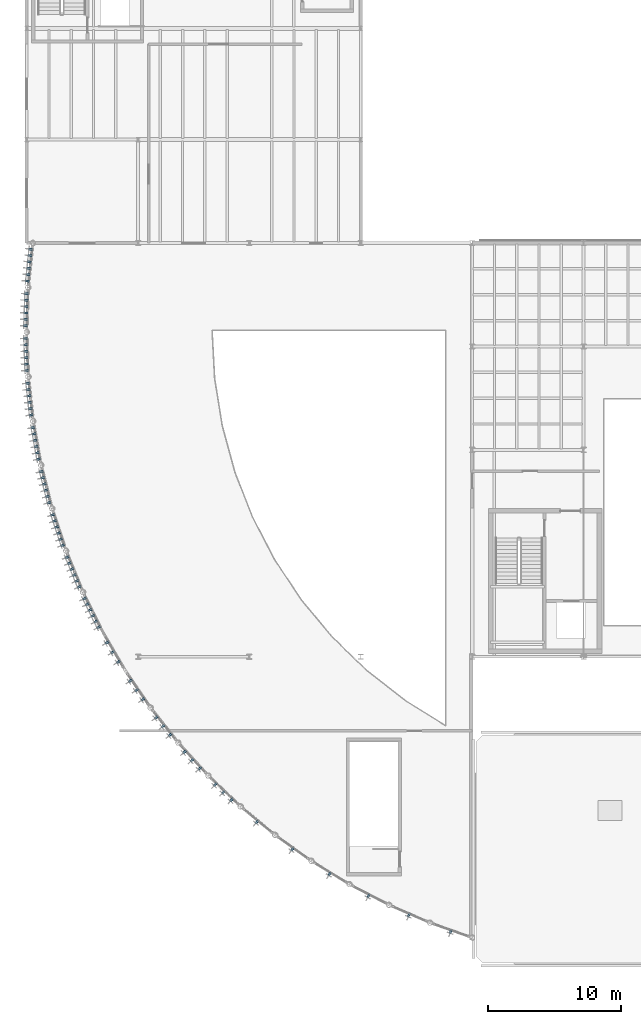
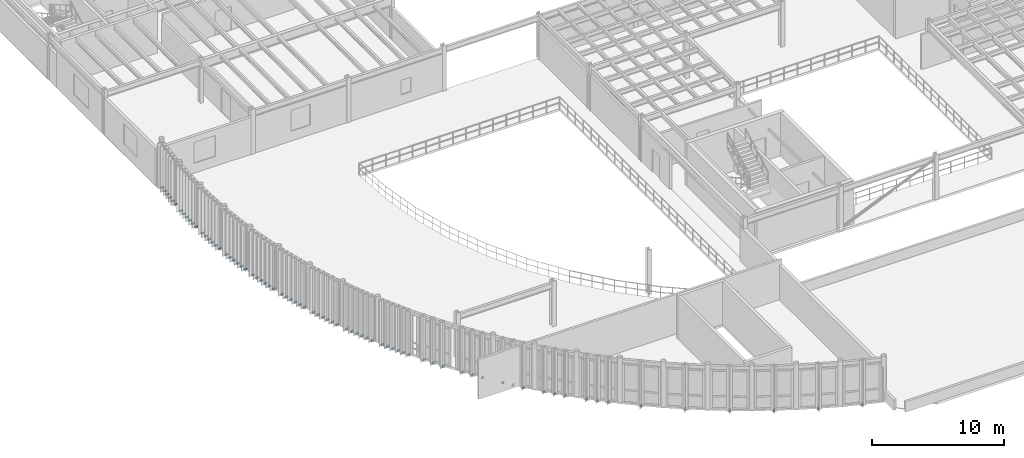
# One storey, part 45 of 54: 75 discrete accessories.
"""IFC4 building model written with IfcOpenShell, lengths in metres."""

from ifc_helpers import new_model, si_unit, direction, frame, origin, origin_2d, place, context, subcontext, project, spatial, rectangle, extrude, material, type_object, element, save


model = new_model("IFC4")

# Units and contexts
model_context = context("Model", 3, precision=1e-05, world=origin(), true_north=direction((0.0, 1.0)))
body_context = subcontext(model_context, "Body", "Model", "MODEL_VIEW")
ifc_project = project(units=[si_unit("LENGTHUNIT", "METRE"), si_unit("AREAUNIT", "SQUARE_METRE"), si_unit("VOLUMEUNIT", "CUBIC_METRE"), si_unit("PLANEANGLEUNIT", "RADIAN"), si_unit("MASSUNIT", "GRAM", prefix="KILO")], contexts=[model_context])

# Site, building, storey
site_placement = place(None, origin())
site = spatial("IfcSite", under=ifc_project, at=site_placement, CompositionType="ELEMENT")
building_placement = place(site_placement, origin())
building = spatial("IfcBuilding", under=site, at=building_placement, Name="Selat Folded Stagehouse", CompositionType="ELEMENT")
storey_placement = place(building_placement, frame((0.0, 0.0, 15.0)))
storey = spatial("IfcBuildingStorey", under=building, at=storey_placement, Name="L03", CompositionType="ELEMENT", Elevation=15.0)

# Discrete accessories
ifc_material = material(Name="Stainless steel 1.4401", Category="steel")
discrete_accessory_type = type_object("IfcDiscreteAccessoryType", Name="ACC-BRK-280x140x110", PredefinedType="BRACKET", material=ifc_material)
for number, where, z_axis, x_axis, name in (
    (1, (0.28759765625, 54.13671875, -0.13525390625), (0.0, 0.0, 1.0), (-0.991827775753, 0.127583945876, 0.0), "L03 solar fin slab bracket 003"),
    (2, (0.23779296875, 53.656494140625, -0.13525390625), (0.0, 0.0, 1.0), (-0.993068456955, 0.117537397458, 0.0), "L03 solar fin slab bracket 008"),
    (3, (0.1884765625, 53.1767578125, -0.13525390625), (0.0, 0.0, 1.0), (-0.994188602291, 0.107652324982, 0.0), "L03 solar fin slab bracket 013"),
    (4, (0.138916015625, 52.69677734375, -0.13525390625), (0.0, 0.0, 1.0), (-0.995227399982, 0.097582899759, 0.0), "L03 solar fin slab bracket 018"),
    (5, (0.08935546875, 52.216796875, -0.13525390625), (0.0, 0.0, 1.0), (-0.996148926897, 0.087677337101, 0.0), "L03 solar fin slab bracket 023"),
    (6, (0.039794921875, 51.73681640625, -0.13525390625), (0.0, 0.0, 1.0), (-0.996971865568, 0.077763097071, 0.0), "L03 solar fin slab bracket 028"),
    (7, (-0.025390625, 50.774658203125, -0.13525390625), (0.0, 0.0, 1.0), (-0.99833175459, 0.0577382696, 0.0), "L03 solar fin slab bracket 034"),
    (8, (-0.041259765625, 50.29248046875, -0.13525390625), (0.0, 0.0, 1.0), (-0.998865073158, 0.047629461744, 0.0), "L03 solar fin slab bracket 040"),
    (9, (-0.056884765625, 49.810302734375, -0.13525390625), (0.0, 0.0, 1.0), (-0.999289472641, 0.03769018267, 0.0), "L03 solar fin slab bracket 046"),
    (10, (-0.07275390625, 49.327880859375, -0.13525390625), (0.0, 0.0, 1.0), (-0.999619800631, 0.027572707275, 0.0), "L03 solar fin slab bracket 052"),
    (11, (-0.08837890625, 48.845703125, -0.13525390625), (0.0, 0.0, 1.0), (-0.999844633908, 0.017626912514, 0.0), "L03 solar fin slab bracket 058"),
    (12, (-0.104248046875, 48.363525390625, -0.13525390625), (0.0, 0.0, 1.0), (-0.999971838252, 0.007504845333, 0.0), "L03 solar fin slab bracket 064"),
    (13, (-0.101806640625, 47.399169921875, -0.13525390625), (0.0, 0.0, 1.0), (-0.999921044204, -0.012566039883, 0.0), "L03 solar fin slab bracket 070"),
    (14, (-0.083740234375, 46.9169921875, -0.13525390625), (0.0, 0.0, 1.0), (-0.999746553782, -0.022512845226, 0.0), "L03 solar fin slab bracket 076"),
    (15, (-0.065673828125, 46.434814453125, -0.13525390625), (0.0, 0.0, 1.0), (-0.999467438949, -0.032631862958, 0.0), "L03 solar fin slab bracket 082"),
    (16, (-0.04736328125, 45.95263671875, -0.13525390625), (0.0, 0.0, 1.0), (-0.9990933519, -0.042573162788, 0.0), "L03 solar fin slab bracket 088"),
    (17, (-0.029296875, 45.470703125, -0.13525390625), (0.0, 0.0, 1.0), (-0.998620385197, -0.052510249179, 0.0), "L03 solar fin slab bracket 094"),
    (18, (-0.01123046875, 44.98828125, -0.13525390625), (0.0, 0.0, 1.0), (-0.99803767224, -0.06261633005, 0.0), "L03 solar fin slab bracket 100"),
    (19, (0.058837890625, 44.026611328125, -0.13525390625), (0.0, 0.0, 1.0), (-0.996579940078, -0.08263427276, 0.0), "L03 solar fin slab bracket 106"),
    (20, (0.11083984375, 43.546875, -0.13525390625), (0.0, 0.0, 1.0), (-0.99570856131, -0.092544372783, 0.0), "L03 solar fin slab bracket 112"),
    (21, (0.16259765625, 43.067138671875, -0.13525390625), (0.0, 0.0, 1.0), (-0.994720742649, -0.10261892683, 0.0), "L03 solar fin slab bracket 118"),
    (22, (0.214599609375, 42.58740234375, -0.13525390625), (0.0, 0.0, 1.0), (-0.993650644295, -0.112509542228, 0.0), "L03 solar fin slab bracket 124"),
    (23, (0.2666015625, 42.10791015625, -0.13525390625), (0.0, 0.0, 1.0), (-0.992460828919, -0.122562241583, 0.0), "L03 solar fin slab bracket 130"),
    (24, (0.318359375, 41.628173828125, -0.13525390625), (0.0, 0.0, 1.0), (-0.99119244206, -0.13242938799, 0.0), "L03 solar fin slab bracket 136"),
    (25, (0.455810546875, 40.673583984375, -0.13525390625), (0.0, 0.0, 1.0), (-0.988334944875, -0.152295885498, 0.0), "L03 solar fin slab bracket 142"),
    (26, (0.541015625, 40.19873046875, -0.13525390625), (0.0, 0.0, 1.0), (-0.986770965572, -0.162120515372, 0.0), "L03 solar fin slab bracket 148"),
    (27, (0.62646484375, 39.723876953125, -0.13525390625), (0.0, 0.0, 1.0), (-0.985079303862, -0.172101031672, 0.0), "L03 solar fin slab bracket 154"),
    (28, (0.7119140625, 39.248779296875, -0.13525390625), (0.0, 0.0, 1.0), (-0.983318459858, -0.181892293686, 0.0), "L03 solar fin slab bracket 160"),
    (29, (0.79736328125, 38.774169921875, -0.13525390625), (0.0, 0.0, 1.0), (-0.981426830534, -0.191836848149, 0.0), "L03 solar fin slab bracket 166"),
    (30, (0.8828125, 38.29931640625, -0.13525390625), (0.0, 0.0, 1.0), (-0.979469831173, -0.20159079796, 0.0), "L03 solar fin slab bracket 172"),
    (31, (1.086669921875, 37.356689453125, -0.13525390625), (0.0, 0.0, 1.0), (-0.975226629909, -0.22120809279, 0.0), "L03 solar fin slab bracket 178"),
    (32, (1.205078125, 36.888916015625, -0.13525390625), (0.0, 0.0, 1.0), (-0.972937431695, -0.231068721395, 0.0), "L03 solar fin slab bracket 184"),
    (33, (1.32373046875, 36.421142578125, -0.13525390625), (0.0, 0.0, 1.0), (-0.970590565411, -0.240736275485, 0.0), "L03 solar fin slab bracket 190"),
    (34, (1.442138671875, 35.95361328125, -0.13525390625), (0.0, 0.0, 1.0), (-0.968103926078, -0.25054897388, 0.0), "L03 solar fin slab bracket 196"),
    (35, (1.560791015625, 35.48583984375, -0.13525390625), (0.0, 0.0, 1.0), (-0.965563505285, -0.260167479254, 0.0), "L03 solar fin slab bracket 202"),
    (36, (1.67919921875, 35.01806640625, -0.13525390625), (0.0, 0.0, 1.0), (-0.962880426559, -0.26992829446, 0.0), "L03 solar fin slab bracket 208"),
    (37, (1.94873046875, 34.092041015625, -0.13525390625), (0.0, 0.0, 1.0), (-0.957319497532, -0.289031796944, 0.0), "L03 solar fin slab bracket 214"),
    (38, (2.099853515625, 33.6337890625, -0.13525390625), (0.0, 0.0, 1.0), (-0.954344655307, -0.298707681332, 0.0), "L03 solar fin slab bracket 220"),
    (39, (2.250732421875, 33.175537109375, -0.13525390625), (0.0, 0.0, 1.0), (-0.951325822325, -0.308186923436, 0.0), "L03 solar fin slab bracket 226"),
    (40, (2.40185546875, 32.71728515625, -0.13525390625), (0.0, 0.0, 1.0), (-0.94815738489, -0.317801153992, 0.0), "L03 solar fin slab bracket 232"),
    (41, (2.552978515625, 32.259033203125, -0.13525390625), (0.0, 0.0, 1.0), (-0.944948912158, -0.327217898979, 0.0), "L03 solar fin slab bracket 238"),
    (42, (2.7041015625, 31.80078125, -0.13525390625), (0.0, 0.0, 1.0), (-0.941588155895, -0.336766602676, 0.0), "L03 solar fin slab bracket 244"),
    (43, (3.037841796875, 30.89599609375, -0.13525390625), (0.0, 0.0, 1.0), (-0.93463961469, -0.355596387288, 0.0), "L03 solar fin slab bracket 250"),
    (44, (3.220703125, 30.44970703125, -0.13525390625), (0.0, 0.0, 1.0), (-0.931055815863, -0.364876784338, 0.0), "L03 solar fin slab bracket 256"),
    (45, (3.4033203125, 30.003173828125, -0.13525390625), (0.0, 0.0, 1.0), (-0.927314560446, -0.374282922379, 0.0), "L03 solar fin slab bracket 262"),
    (46, (3.586181640625, 29.556640625, -0.13525390625), (0.0, 0.0, 1.0), (-0.923545226472, -0.383489523534, 0.0), "L03 solar fin slab bracket 268"),
    (47, (3.76904296875, 29.110107421875, -0.13525390625), (0.0, 0.0, 1.0), (-0.91961594401, -0.392818680211, 0.0), "L03 solar fin slab bracket 274"),
    (48, (3.951904296875, 28.66357421875, -0.13525390625), (0.0, 0.0, 1.0), (-0.91566259334, -0.401947776656, 0.0), "L03 solar fin slab bracket 280"),
    (49, (4.348388671875, 27.784423828125, -0.13525390625), (0.0, 0.0, 1.0), (-0.907411091929, -0.420244107924, 0.0), "L03 solar fin slab bracket 286"),
    (50, (4.56201171875, 27.351806640625, -0.13525390625), (0.0, 0.0, 1.0), (-0.903185511225, -0.429250430767, 0.0), "L03 solar fin slab bracket 292"),
    (51, (4.775634765625, 26.919189453125, -0.13525390625), (0.0, 0.0, 1.0), (-0.898794046299, -0.438371146789, 0.0), "L03 solar fin slab bracket 298"),
    (52, (4.9892578125, 26.486572265625, -0.13525390625), (0.0, 0.0, 1.0), (-0.89438856037, -0.447290848419, 0.0), "L03 solar fin slab bracket 304"),
    (53, (5.202880859375, 26.053955078125, -0.13525390625), (0.0, 0.0, 1.0), (-0.889814927768, -0.4563215909, 0.0), "L03 solar fin slab bracket 310"),
    (54, (5.41650390625, 25.621337890625, -0.13525390625), (0.0, 0.0, 1.0), (-0.885231311332, -0.465151078077, 0.0), "L03 solar fin slab bracket 316"),
    (55, (6.056396484375, 24.459716796875, -0.13525390625), (0.0, 0.0, 1.0), (-0.872069272432, -0.489382451749, 0.0), "L03 solar fin slab bracket 322"),
    (56, (6.482421875, 23.73095703125, -0.13525390625), (0.0, 0.0, 1.0), (-0.863307480775, -0.504678307081, 0.0), "L03 solar fin slab bracket 328"),
    (57, (6.90869140625, 23.001953125, -0.13525390625), (0.0, 0.0, 1.0), (-0.854368143929, -0.519668235165, 0.0), "L03 solar fin slab bracket 334"),
    (58, (7.810791015625, 21.57568359375, -0.13525390625), (0.0, 0.0, 1.0), (-0.835615665335, -0.549314536351, 0.0), "L03 solar fin slab bracket 340"),
    (59, (8.287109375, 20.87841796875, -0.13525390625), (0.0, 0.0, 1.0), (-0.82580311972, -0.563958515726, 0.0), "L03 solar fin slab bracket 346"),
    (60, (8.76318359375, 20.18115234375, -0.13525390625), (0.0, 0.0, 1.0), (-0.815733970499, -0.578427255041, 0.0), "L03 solar fin slab bracket 352"),
    (61, (9.763427734375, 18.82177734375, -0.13525390625), (0.0, 0.0, 1.0), (-0.794944353388, -0.606682351002, 0.0), "L03 solar fin slab bracket 358"),
    (62, (10.287353515625, 18.15966796875, -0.13525390625), (0.0, 0.0, 1.0), (-0.784235212544, -0.620463642292, 0.0), "L03 solar fin slab bracket 364"),
    (63, (10.811279296875, 17.49755859375, -0.13525390625), (0.0, 0.0, 1.0), (-0.773176510644, -0.634190888762, 0.0), "L03 solar fin slab bracket 370"),
    (64, (11.904296875, 16.211669921875, -0.13525390625), (0.0, 0.0, 1.0), (-0.750457228874, -0.660919017453, 0.0), "L03 solar fin slab bracket 376"),
    (65, (12.473388671875, 15.587890625, -0.13525390625), (0.0, 0.0, 1.0), (-0.738690671568, -0.674044576967, 0.0), "L03 solar fin slab bracket 382"),
    (66, (13.04248046875, 14.964111328125, -0.13525390625), (0.0, 0.0, 1.0), (-0.726814465487, -0.686833846544, 0.0), "L03 solar fin slab bracket 388"),
    (67, (14.222900390625, 13.758056640625, -0.13525390625), (0.0, 0.0, 1.0), (-0.702277314289, -0.711903486321, 0.0), "L03 solar fin slab bracket 394"),
    (68, (14.83447265625, 13.17578125, -0.13525390625), (0.0, 0.0, 1.0), (-0.689619543736, -0.724171861437, 0.0), "L03 solar fin slab bracket 400"),
    (69, (15.44580078125, 12.59326171875, -0.13525390625), (0.0, 0.0, 1.0), (-0.676875969683, -0.73609708712, 0.0), "L03 solar fin slab bracket 406"),
    (70, (17.35888671875, 10.93505859375, -0.13525390625), (0.0, 0.0, 1.0), (-0.63715499106, -0.770735698776, 0.0), "L03 solar fin slab bracket 412"),
    (71, (20.0341796875, 8.877197265625, -0.13525390625), (0.0, 0.0, 1.0), (-0.581555176926, -0.813506961366, 0.0), "L03 solar fin slab bracket 416"),
    (72, (22.847412109375, 7.01171875, -0.13525390625), (0.0, 0.0, 1.0), (-0.523093692466, -0.852275183789, 0.0), "L03 solar fin slab bracket 420"),
    (73, (25.784423828125, 5.348388671875, -0.13525390625), (0.0, 0.0, 1.0), (-0.461903418797, -0.886930229333, 0.0), "L03 solar fin slab bracket 424"),
    (74, (28.830810546875, 3.895263671875, -0.13525390625), (0.0, 0.0, 1.0), (-0.398589005675, -0.917129655259, 0.0), "L03 solar fin slab bracket 428"),
    (75, (31.9716796875, 2.6591796875, -0.13525390625), (0.0, 0.0, 1.0), (-0.333313247568, -0.942816142732, 0.0), "L03 solar fin slab bracket 432"),
):
    element("IfcDiscreteAccessory", number, at=place(storey_placement, frame(where, z_axis=z_axis, x_axis=x_axis)), inside=storey, type_object=discrete_accessory_type, Name=name, PredefinedType="BRACKET", context=body_context, shape_type="SweptSolid", body=[
        extrude(rectangle(XDim=0.280029296875, YDim=0.139892578125, at=origin_2d()), origin(), (0.0, 0.0, 1.0), 0.110107421875),
    ])

save(model, "model.ifc")
